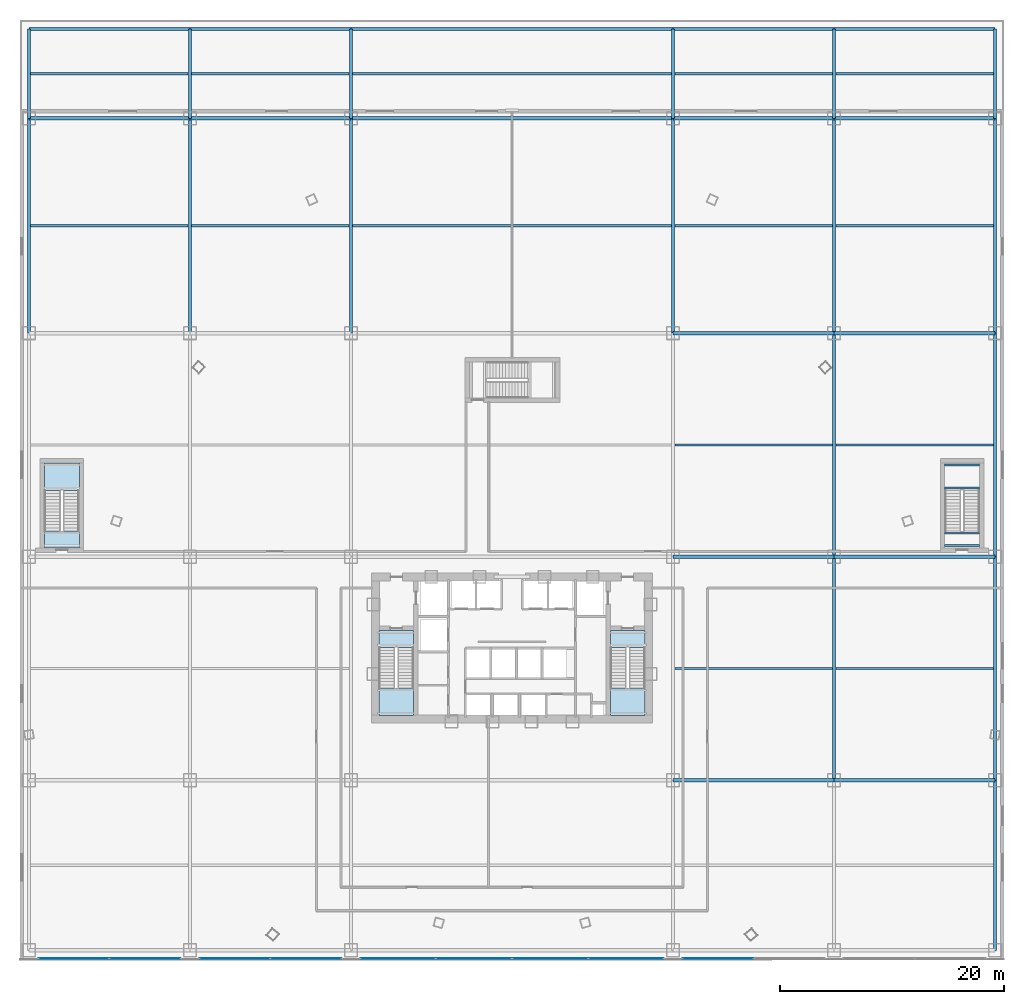
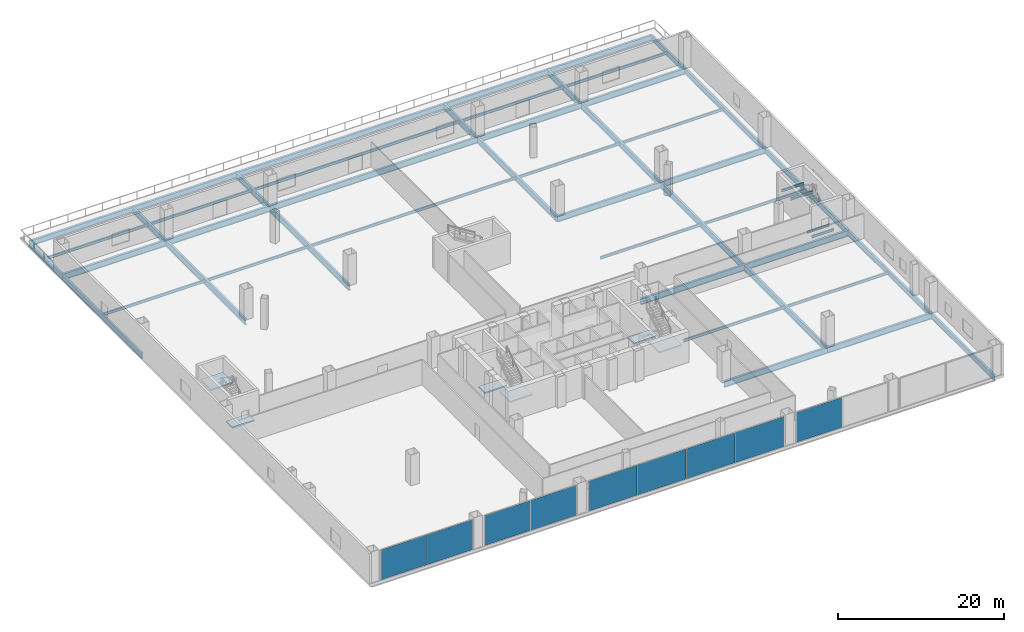
# One storey, part 17 of 27: 51 beams, 9 plates, 6 slabs, 7 elements without a shape of their own.
"""IFC4 building model written with IfcOpenShell, lengths in metres."""

from ifc_helpers import new_model, si_unit, direction, frame, origin, origin_2d, place, context, subcontext, project, spatial, polyline, rectangle, i_section, outline, extrude, source, transform, mapped, material, layer, layer_set, material_profile, profile_set, type_object, element, aggregate, save


model = new_model("IFC4")

# Units and contexts
model_context = context("Model", 3, precision=1e-05, world=origin(), true_north=direction((0.0, 1.0)))
body_context = subcontext(model_context, "Body", "Model", "MODEL_VIEW")
ifc_project = project(units=[si_unit("LENGTHUNIT", "METRE"), si_unit("AREAUNIT", "SQUARE_METRE"), si_unit("VOLUMEUNIT", "CUBIC_METRE"), si_unit("PLANEANGLEUNIT", "RADIAN"), si_unit("MASSUNIT", "GRAM", prefix="KILO"), si_unit("THERMODYNAMICTEMPERATUREUNIT", "KELVIN"), si_unit("POWERUNIT", "WATT")], contexts=[model_context])

# Site, building, storey
site_placement = place(None, origin())
site = spatial("IfcSite", under=ifc_project, at=site_placement, CompositionType="ELEMENT")
building_placement = place(site_placement, origin())
building = spatial("IfcBuilding", under=site, at=building_placement, Name="Yunzhuo Pagoda Commons", CompositionType="ELEMENT")
storey_placement = place(building_placement, frame((0.0, 0.0, 9.60009765625)))
storey = spatial("IfcBuildingStorey", under=building, at=storey_placement, Name="L03", CompositionType="ELEMENT", Elevation=9.60009765625)

# Beams
ifc_material_1 = material(Name="Structural steel Q355B", Category="steel")
ifc_material_profile_1 = material_profile(ifc_material_1, i_section(OverallWidth=0.175048828125, OverallDepth=0.35009765625, WebThickness=0.007080078125, FlangeThickness=0.010986328125, at=origin_2d()), Name="Structural steel Q355B")
ifc_profile_set_1 = profile_set([ifc_material_profile_1], Name="Structural steel Q355B")
beam_type_1 = type_object("IfcBeamType", Name="B-JS2 Joist HN 350x175x7x11", PredefinedType="JOIST", material=ifc_profile_set_1)
shared_shape_1 = source(origin(), body_context, "Body", "SweptSolid", [
    extrude(i_section(OverallWidth=0.175048828125, OverallDepth=0.35009765625, WebThickness=0.007080078125, FlangeThickness=0.010986328125, at=origin_2d()), origin(), (0.0, 0.0, 1.0), 3.10009765625),
])
for number, where, z_axis, x_axis, name in (
    (1, (86.699951171875, 48.139892578125, 2.02490234375), (1.0, 0.0, 0.0), (0.0, 1.0, 0.0), "L03 PS4 landing support beam 5A"),
    (2, (86.699951171875, 50.199951171875, 2.02490234375), (1.0, 0.0, 0.0), (0.0, 1.0, 0.0), "L03 PS4 landing support beam 5B"),
    (3, (86.699951171875, 43.0, -0.375), (1.0, 0.0, 0.0), (0.0, 1.0, 0.0), "L03 PS4 landing support beam 13A"),
    (4, (86.699951171875, 44.10009765625, -0.375), (1.0, 0.0, 0.0), (0.0, 1.0, 0.0), "L03 PS4 landing support beam 13B"),
):
    element("IfcBeam", number, at=place(storey_placement, frame(where, z_axis=z_axis, x_axis=x_axis)), inside=storey, type_object=beam_type_1, Name=name, PredefinedType="JOIST", context=body_context, shape_type="MappedRepresentation", body=[
        mapped(shared_shape_1, transform((0.0, 0.0, 0.0), scale=1.0)),
    ])
ifc_material_profile_2 = material_profile(ifc_material_1, i_section(OverallWidth=0.300048828125, OverallDepth=0.800048828125, WebThickness=0.013916015625, FlangeThickness=0.02587890625, at=origin_2d()), Name="Structural steel Q355B")
ifc_profile_set_2 = profile_set([ifc_material_profile_2], Name="Structural steel Q355B")
beam_type_2 = type_object("IfcBeamType", Name="B-PD2 Beam HN 800x300x14x26", PredefinedType="BEAM", material=ifc_profile_set_2)
shared_shape_2 = source(origin(), body_context, "Body", "SweptSolid", [
    extrude(i_section(OverallWidth=0.300048828125, OverallDepth=0.800048828125, WebThickness=0.013916015625, FlangeThickness=0.02587890625, at=origin_2d()), origin(), (0.0, 0.0, 1.0), 14.39990234375),
])
for number, where, z_axis, x_axis, name in (
    (5, (4.800048828125, 89.199951171875, -0.68017578125), (1.0, 0.0, 0.0), (0.0, 1.0, 0.0), "L03 podium girder EW 6.1"),
    (6, (76.800048828125, 89.199951171875, -0.68017578125), (1.0, 0.0, 0.0), (0.0, 1.0, 0.0), "L03 podium girder EW 6.5"),
):
    element("IfcBeam", number, at=place(storey_placement, frame(where, z_axis=z_axis, x_axis=x_axis)), inside=storey, type_object=beam_type_2, Name=name, PredefinedType="BEAM", context=body_context, shape_type="MappedRepresentation", body=[
        mapped(shared_shape_2, transform((0.0, 0.0, 0.0), scale=1.0)),
    ])
shared_shape_3 = source(origin(), body_context, "Body", "SweptSolid", [
    extrude(i_section(OverallWidth=0.300048828125, OverallDepth=0.800048828125, WebThickness=0.013916015625, FlangeThickness=0.02587890625, at=origin_2d()), origin(), (0.0, 0.0, 1.0), 14.400146484375),
])
for number, where, z_axis, x_axis, name in (
    (7, (19.199951171875, 89.199951171875, -0.68017578125), (1.0, 0.0, 0.0), (0.0, 1.0, 0.0), "L03 podium girder EW 6.2"),
    (8, (62.39990234375, 89.199951171875, -0.68017578125), (1.0, 0.0, 0.0), (0.0, 1.0, 0.0), "L03 podium girder EW 6.4"),
):
    element("IfcBeam", number, at=place(storey_placement, frame(where, z_axis=z_axis, x_axis=x_axis)), inside=storey, type_object=beam_type_2, Name=name, PredefinedType="BEAM", context=body_context, shape_type="MappedRepresentation", body=[
        mapped(shared_shape_3, transform((0.0, 0.0, 0.0), scale=1.0)),
    ])
shared_shape_4 = source(origin(), body_context, "Body", "SweptSolid", [
    extrude(i_section(OverallWidth=0.300048828125, OverallDepth=0.800048828125, WebThickness=0.013916015625, FlangeThickness=0.02587890625, at=origin_2d()), origin(), (0.0, 0.0, 1.0), 28.7998046875),
])
beam_1_placement = place(storey_placement, frame((33.60009765625, 89.199951171875, -0.68017578125), z_axis=(1.0, 0.0, 0.0), x_axis=(0.0, 1.0, 0.0)))
element("IfcBeam", 9, at=beam_1_placement, inside=storey, type_object=beam_type_2, Name="L03 podium girder EW 6.3", PredefinedType="BEAM", context=body_context, shape_type="MappedRepresentation", body=[
    mapped(shared_shape_4, transform((0.0, 0.0, 0.0), scale=1.0)),
])
ifc_material_profile_3 = material_profile(ifc_material_1, i_section(OverallWidth=0.300048828125, OverallDepth=0.89990234375, WebThickness=0.01611328125, FlangeThickness=0.028076171875, at=origin_2d()), Name="Structural steel Q355B")
ifc_profile_set_3 = profile_set([ifc_material_profile_3], Name="Structural steel Q355B")
beam_type_3 = type_object("IfcBeamType", Name="B-PD1 Beam HN 900x300x16x28", PredefinedType="BEAM", material=ifc_profile_set_3)
shared_shape_5 = source(origin(), body_context, "Body", "SweptSolid", [
    extrude(i_section(OverallWidth=0.300048828125, OverallDepth=0.89990234375, WebThickness=0.01611328125, FlangeThickness=0.028076171875, at=origin_2d()), origin(), (0.0, 0.0, 1.0), 14.39990234375),
])
for number, where, z_axis, x_axis, name in (
    (10, (76.800048828125, 22.0, -0.72998046875), (1.0, 0.0, 0.0), (0.0, 1.0, 0.0), "L03 podium girder EW 2.5"),
    (11, (76.800048828125, 42.0, -0.72998046875), (1.0, 0.0, 0.0), (0.0, 1.0, 0.0), "L03 podium girder EW 3.5"),
    (12, (76.800048828125, 62.0, -0.72998046875), (1.0, 0.0, 0.0), (0.0, 1.0, 0.0), "L03 podium girder EW 4.5"),
    (13, (4.800048828125, 81.199951171875, -0.72998046875), (1.0, 0.0, 0.0), (0.0, 1.0, 0.0), "L03 podium girder EW 5.1"),
    (14, (76.800048828125, 81.199951171875, -0.72998046875), (1.0, 0.0, 0.0), (0.0, 1.0, 0.0), "L03 podium girder EW 5.5"),
):
    element("IfcBeam", number, at=place(storey_placement, frame(where, z_axis=z_axis, x_axis=x_axis)), inside=storey, type_object=beam_type_3, Name=name, PredefinedType="BEAM", context=body_context, shape_type="MappedRepresentation", body=[
        mapped(shared_shape_5, transform((0.0, 0.0, 0.0), scale=1.0)),
    ])
shared_shape_6 = source(origin(), body_context, "Body", "SweptSolid", [
    extrude(i_section(OverallWidth=0.300048828125, OverallDepth=0.89990234375, WebThickness=0.01611328125, FlangeThickness=0.028076171875, at=origin_2d()), origin(), (0.0, 0.0, 1.0), 14.400146484375),
])
for number, where, z_axis, x_axis, name in (
    (15, (62.39990234375, 22.0, -0.72998046875), (1.0, 0.0, 0.0), (0.0, 1.0, 0.0), "L03 podium girder EW 2.4"),
    (16, (62.39990234375, 42.0, -0.72998046875), (1.0, 0.0, 0.0), (0.0, 1.0, 0.0), "L03 podium girder EW 3.4"),
    (17, (62.39990234375, 62.0, -0.72998046875), (1.0, 0.0, 0.0), (0.0, 1.0, 0.0), "L03 podium girder EW 4.4"),
    (18, (19.199951171875, 81.199951171875, -0.72998046875), (1.0, 0.0, 0.0), (0.0, 1.0, 0.0), "L03 podium girder EW 5.2"),
    (19, (62.39990234375, 81.199951171875, -0.72998046875), (1.0, 0.0, 0.0), (0.0, 1.0, 0.0), "L03 podium girder EW 5.4"),
):
    element("IfcBeam", number, at=place(storey_placement, frame(where, z_axis=z_axis, x_axis=x_axis)), inside=storey, type_object=beam_type_3, Name=name, PredefinedType="BEAM", context=body_context, shape_type="MappedRepresentation", body=[
        mapped(shared_shape_6, transform((0.0, 0.0, 0.0), scale=1.0)),
    ])
shared_shape_7 = source(origin(), body_context, "Body", "SweptSolid", [
    extrude(i_section(OverallWidth=0.300048828125, OverallDepth=0.89990234375, WebThickness=0.01611328125, FlangeThickness=0.028076171875, at=origin_2d()), origin(), (0.0, 0.0, 1.0), 28.7998046875),
])
beam_2_placement = place(storey_placement, frame((33.60009765625, 81.199951171875, -0.72998046875), z_axis=(1.0, 0.0, 0.0), x_axis=(0.0, 1.0, 0.0)))
element("IfcBeam", 20, at=beam_2_placement, inside=storey, type_object=beam_type_3, Name="L03 podium girder EW 5.3", PredefinedType="BEAM", context=body_context, shape_type="MappedRepresentation", body=[
    mapped(shared_shape_7, transform((0.0, 0.0, 0.0), scale=1.0)),
])
shared_shape_8 = source(origin(), body_context, "Body", "SweptSolid", [
    extrude(i_section(OverallWidth=0.300048828125, OverallDepth=0.800048828125, WebThickness=0.013916015625, FlangeThickness=0.02587890625, at=origin_2d()), origin(), (0.0, 0.0, 1.0), 15.199951171875),
])
beam_3_placement = place(storey_placement, frame((91.199951171875, 6.800048828125, -0.68017578125), z_axis=(0.0, 1.0, 0.0), x_axis=(-1.0, 0.0, 0.0)))
element("IfcBeam", 21, at=beam_3_placement, inside=storey, type_object=beam_type_2, Name="L03 podium girder NS 6.1", PredefinedType="BEAM", context=body_context, shape_type="MappedRepresentation", body=[
    mapped(shared_shape_8, transform((0.0, 0.0, 0.0), scale=1.0)),
])
ifc_material_profile_4 = material_profile(ifc_material_1, i_section(OverallWidth=0.199951171875, OverallDepth=0.39990234375, WebThickness=0.008056640625, FlangeThickness=0.012939453125, at=origin_2d()), Name="Structural steel Q355B")
ifc_profile_set_4 = profile_set([ifc_material_profile_4], Name="Structural steel Q355B")
beam_type_4 = type_object("IfcBeamType", Name="B-JS1 Joist HN 400x200x8x13", PredefinedType="JOIST", material=ifc_profile_set_4)
shared_shape_9 = source(origin(), body_context, "Body", "SweptSolid", [
    extrude(i_section(OverallWidth=0.199951171875, OverallDepth=0.39990234375, WebThickness=0.008056640625, FlangeThickness=0.012939453125, at=origin_2d()), origin(), (0.0, 0.0, 1.0), 14.08984375),
])
for number, where, z_axis, x_axis, name in (
    (22, (4.955078125, 71.60009765625, -0.47998046875), (1.0, 0.0, 0.0), (0.0, 1.0, 0.0), "L03 podium composite joist 1.4"),
    (23, (4.955078125, 85.199951171875, -0.47998046875), (1.0, 0.0, 0.0), (0.0, 1.0, 0.0), "L03 podium composite joist 1.5"),
    (24, (19.355224609375, 71.60009765625, -0.47998046875), (1.0, 0.0, 0.0), (0.0, 1.0, 0.0), "L03 podium composite joist 2.4"),
    (25, (19.355224609375, 85.199951171875, -0.47998046875), (1.0, 0.0, 0.0), (0.0, 1.0, 0.0), "L03 podium composite joist 2.5"),
    (26, (76.955078125, 32.0, -0.47998046875), (1.0, 0.0, 0.0), (0.0, 1.0, 0.0), "L03 podium composite joist 5.2"),
    (27, (76.955078125, 52.0, -0.47998046875), (1.0, 0.0, 0.0), (0.0, 1.0, 0.0), "L03 podium composite joist 5.3"),
    (28, (76.955078125, 71.60009765625, -0.47998046875), (1.0, 0.0, 0.0), (0.0, 1.0, 0.0), "L03 podium composite joist 5.4"),
    (29, (76.955078125, 85.199951171875, -0.47998046875), (1.0, 0.0, 0.0), (0.0, 1.0, 0.0), "L03 podium composite joist 5.5"),
):
    element("IfcBeam", number, at=place(storey_placement, frame(where, z_axis=z_axis, x_axis=x_axis)), inside=storey, type_object=beam_type_4, Name=name, PredefinedType="JOIST", context=body_context, shape_type="MappedRepresentation", body=[
        mapped(shared_shape_9, transform((0.0, 0.0, 0.0), scale=1.0)),
    ])
shared_shape_10 = source(origin(), body_context, "Body", "SweptSolid", [
    extrude(i_section(OverallWidth=0.300048828125, OverallDepth=0.800048828125, WebThickness=0.013916015625, FlangeThickness=0.02587890625, at=origin_2d()), origin(), (0.0, 0.0, 1.0), 20.0),
])
for number, where, z_axis, x_axis, name in (
    (30, (91.199951171875, 22.0, -0.68017578125), (0.0, 1.0, 0.0), (-1.0, 0.0, 0.0), "L03 podium girder NS 6.2"),
    (31, (91.199951171875, 42.0, -0.68017578125), (0.0, 1.0, 0.0), (-1.0, 0.0, 0.0), "L03 podium girder NS 6.3"),
):
    element("IfcBeam", number, at=place(storey_placement, frame(where, z_axis=z_axis, x_axis=x_axis)), inside=storey, type_object=beam_type_2, Name=name, PredefinedType="BEAM", context=body_context, shape_type="MappedRepresentation", body=[
        mapped(shared_shape_10, transform((0.0, 0.0, 0.0), scale=1.0)),
    ])
shared_shape_11 = source(origin(), body_context, "Body", "SweptSolid", [
    extrude(i_section(OverallWidth=0.300048828125, OverallDepth=0.800048828125, WebThickness=0.013916015625, FlangeThickness=0.02587890625, at=origin_2d()), origin(), (0.0, 0.0, 1.0), 19.199951171875),
])
for number, where, z_axis, x_axis, name in (
    (32, (4.800048828125, 62.0, -0.68017578125), (0.0, 1.0, 0.0), (-1.0, 0.0, 0.0), "L03 podium girder NS 1.4"),
    (33, (91.199951171875, 62.0, -0.68017578125), (0.0, 1.0, 0.0), (-1.0, 0.0, 0.0), "L03 podium girder NS 6.4"),
):
    element("IfcBeam", number, at=place(storey_placement, frame(where, z_axis=z_axis, x_axis=x_axis)), inside=storey, type_object=beam_type_2, Name=name, PredefinedType="BEAM", context=body_context, shape_type="MappedRepresentation", body=[
        mapped(shared_shape_11, transform((0.0, 0.0, 0.0), scale=1.0)),
    ])
shared_shape_12 = source(origin(), body_context, "Body", "SweptSolid", [
    extrude(i_section(OverallWidth=0.300048828125, OverallDepth=0.800048828125, WebThickness=0.013916015625, FlangeThickness=0.02587890625, at=origin_2d()), origin(), (0.0, 0.0, 1.0), 8.0),
])
for number, where, z_axis, x_axis, name in (
    (34, (4.800048828125, 81.199951171875, -0.68017578125), (0.0, 1.0, 0.0), (-1.0, 0.0, 0.0), "L03 podium girder NS 1.5"),
    (35, (91.199951171875, 81.199951171875, -0.68017578125), (0.0, 1.0, 0.0), (-1.0, 0.0, 0.0), "L03 podium girder NS 6.5"),
):
    element("IfcBeam", number, at=place(storey_placement, frame(where, z_axis=z_axis, x_axis=x_axis)), inside=storey, type_object=beam_type_2, Name=name, PredefinedType="BEAM", context=body_context, shape_type="MappedRepresentation", body=[
        mapped(shared_shape_12, transform((0.0, 0.0, 0.0), scale=1.0)),
    ])
shared_shape_13 = source(origin(), body_context, "Body", "SweptSolid", [
    extrude(i_section(OverallWidth=0.300048828125, OverallDepth=0.89990234375, WebThickness=0.01611328125, FlangeThickness=0.028076171875, at=origin_2d()), origin(), (0.0, 0.0, 1.0), 20.0),
])
for number, where, z_axis, x_axis, name in (
    (36, (76.800048828125, 22.0, -0.72998046875), (0.0, 1.0, 0.0), (-1.0, 0.0, 0.0), "L03 podium girder NS 5.2"),
    (37, (76.800048828125, 42.0, -0.72998046875), (0.0, 1.0, 0.0), (-1.0, 0.0, 0.0), "L03 podium girder NS 5.3"),
):
    element("IfcBeam", number, at=place(storey_placement, frame(where, z_axis=z_axis, x_axis=x_axis)), inside=storey, type_object=beam_type_3, Name=name, PredefinedType="BEAM", context=body_context, shape_type="MappedRepresentation", body=[
        mapped(shared_shape_13, transform((0.0, 0.0, 0.0), scale=1.0)),
    ])
shared_shape_14 = source(origin(), body_context, "Body", "SweptSolid", [
    extrude(i_section(OverallWidth=0.300048828125, OverallDepth=0.89990234375, WebThickness=0.01611328125, FlangeThickness=0.028076171875, at=origin_2d()), origin(), (0.0, 0.0, 1.0), 19.199951171875),
])
for number, where, z_axis, x_axis, name in (
    (38, (19.199951171875, 62.0, -0.72998046875), (0.0, 1.0, 0.0), (-1.0, 0.0, 0.0), "L03 podium girder NS 2.4"),
    (39, (33.60009765625, 62.0, -0.72998046875), (0.0, 1.0, 0.0), (-1.0, 0.0, 0.0), "L03 podium girder NS 3.4"),
    (40, (62.39990234375, 62.0, -0.72998046875), (0.0, 1.0, 0.0), (-1.0, 0.0, 0.0), "L03 podium girder NS 4.4"),
    (41, (76.800048828125, 62.0, -0.72998046875), (0.0, 1.0, 0.0), (-1.0, 0.0, 0.0), "L03 podium girder NS 5.4"),
):
    element("IfcBeam", number, at=place(storey_placement, frame(where, z_axis=z_axis, x_axis=x_axis)), inside=storey, type_object=beam_type_3, Name=name, PredefinedType="BEAM", context=body_context, shape_type="MappedRepresentation", body=[
        mapped(shared_shape_14, transform((0.0, 0.0, 0.0), scale=1.0)),
    ])
shared_shape_15 = source(origin(), body_context, "Body", "SweptSolid", [
    extrude(i_section(OverallWidth=0.300048828125, OverallDepth=0.89990234375, WebThickness=0.01611328125, FlangeThickness=0.028076171875, at=origin_2d()), origin(), (0.0, 0.0, 1.0), 8.0),
])
for number, where, z_axis, x_axis, name in (
    (42, (19.199951171875, 81.199951171875, -0.72998046875), (0.0, 1.0, 0.0), (-1.0, 0.0, 0.0), "L03 podium girder NS 2.5"),
    (43, (33.60009765625, 81.199951171875, -0.72998046875), (0.0, 1.0, 0.0), (-1.0, 0.0, 0.0), "L03 podium girder NS 3.5"),
    (44, (62.39990234375, 81.199951171875, -0.72998046875), (0.0, 1.0, 0.0), (-1.0, 0.0, 0.0), "L03 podium girder NS 4.5"),
    (45, (76.800048828125, 81.199951171875, -0.72998046875), (0.0, 1.0, 0.0), (-1.0, 0.0, 0.0), "L03 podium girder NS 5.5"),
):
    element("IfcBeam", number, at=place(storey_placement, frame(where, z_axis=z_axis, x_axis=x_axis)), inside=storey, type_object=beam_type_3, Name=name, PredefinedType="BEAM", context=body_context, shape_type="MappedRepresentation", body=[
        mapped(shared_shape_15, transform((0.0, 0.0, 0.0), scale=1.0)),
    ])
shared_shape_16 = source(origin(), body_context, "Body", "SweptSolid", [
    extrude(i_section(OverallWidth=0.199951171875, OverallDepth=0.39990234375, WebThickness=0.008056640625, FlangeThickness=0.012939453125, at=origin_2d()), origin(), (0.0, 0.0, 1.0), 28.490234375),
])
for number, where, z_axis, x_axis, name in (
    (46, (33.7548828125, 71.60009765625, -0.47998046875), (1.0, 0.0, 0.0), (0.0, 1.0, 0.0), "L03 podium composite joist 3.4"),
    (47, (33.7548828125, 85.199951171875, -0.47998046875), (1.0, 0.0, 0.0), (0.0, 1.0, 0.0), "L03 podium composite joist 3.5"),
):
    element("IfcBeam", number, at=place(storey_placement, frame(where, z_axis=z_axis, x_axis=x_axis)), inside=storey, type_object=beam_type_4, Name=name, PredefinedType="JOIST", context=body_context, shape_type="MappedRepresentation", body=[
        mapped(shared_shape_16, transform((0.0, 0.0, 0.0), scale=1.0)),
    ])
shared_shape_17 = source(origin(), body_context, "Body", "SweptSolid", [
    extrude(i_section(OverallWidth=0.199951171875, OverallDepth=0.39990234375, WebThickness=0.008056640625, FlangeThickness=0.012939453125, at=origin_2d()), origin(), (0.0, 0.0, 1.0), 14.09033203125),
])
for number, where, z_axis, x_axis, name in (
    (48, (62.554931640625, 32.0, -0.47998046875), (1.0, 0.0, 0.0), (0.0, 1.0, 0.0), "L03 podium composite joist 4.2"),
    (49, (62.554931640625, 52.0, -0.47998046875), (1.0, 0.0, 0.0), (0.0, 1.0, 0.0), "L03 podium composite joist 4.3"),
    (50, (62.554931640625, 71.60009765625, -0.47998046875), (1.0, 0.0, 0.0), (0.0, 1.0, 0.0), "L03 podium composite joist 4.4"),
    (51, (62.554931640625, 85.199951171875, -0.47998046875), (1.0, 0.0, 0.0), (0.0, 1.0, 0.0), "L03 podium composite joist 4.5"),
):
    element("IfcBeam", number, at=place(storey_placement, frame(where, z_axis=z_axis, x_axis=x_axis)), inside=storey, type_object=beam_type_4, Name=name, PredefinedType="JOIST", context=body_context, shape_type="MappedRepresentation", body=[
        mapped(shared_shape_17, transform((0.0, 0.0, 0.0), scale=1.0)),
    ])

# Stair, slabs
ifc_material_2 = material(Name="Concrete C40", Category="concrete")
stair_type_1 = type_object("IfcStairType", Name="ST-C1 Core Smokeproof Stair ST1", PredefinedType="HALF_TURN_STAIR", material=ifc_material_2)
stair_1_placement = place(storey_placement, origin())
stair_1 = element("IfcStair", 52, at=stair_1_placement, inside=storey, type_object=stair_type_1, Name="L03 Core smokeproof stair ST1", PredefinedType="HALF_TURN_STAIR")
ifc_layer_1 = layer(ifc_material_2, 0.199951171875)
ifc_layer_set_1 = layer_set([ifc_layer_1], Name="Concrete C40")
slab_type_1 = type_object("IfcSlabType", Name="SL-LND1 Stair Landing Slab 200", PredefinedType="LANDING", material=ifc_layer_set_1)
slab_1_placement = place(storey_placement, frame((0.0, 0.0, 2.199951171875)))
slab_1 = element("IfcSlab", 53, at=slab_1_placement, type_object=slab_type_1, Name="ST1 landing 1", PredefinedType="LANDING", context=body_context, shape_type="SweptSolid", body=[
    extrude(outline(polyline([(36.10009765625, 30.260009765625), (36.10009765625, 27.800048828125), (39.199951171875, 27.800048828125), (39.199951171875, 30.260009765625), (36.10009765625, 30.260009765625)])), origin(), (0.0, 0.0, 1.0), 0.199951171875),
])
slab_2_placement = place(storey_placement, frame((0.0, 0.0, -0.2001953125)))
slab_2 = element("IfcSlab", 54, at=slab_2_placement, type_object=slab_type_1, Name="ST1 floor landing L03", PredefinedType="LANDING", context=body_context, shape_type="SweptSolid", body=[
    extrude(outline(polyline([(36.10009765625, 35.39990234375), (36.10009765625, 33.89990234375), (39.199951171875, 33.89990234375), (39.199951171875, 35.39990234375), (36.10009765625, 35.39990234375)])), origin(), (0.0, 0.0, 1.0), 0.2001953125),
])
aggregate(stair_1, [slab_1, slab_2])

stair_type_2 = type_object("IfcStairType", Name="ST-C2 Core Smokeproof Stair ST2", PredefinedType="HALF_TURN_STAIR", material=ifc_material_2)
stair_2_placement = place(storey_placement, origin())
stair_2 = element("IfcStair", 55, at=stair_2_placement, inside=storey, type_object=stair_type_2, Name="L03 Core smokeproof stair ST2", PredefinedType="HALF_TURN_STAIR")
ifc_layer_2 = layer(ifc_material_2, 0.201904296875)
ifc_layer_set_2 = layer_set([ifc_layer_2], Name="Concrete C40")
slab_type_2 = type_object("IfcSlabType", Name="SL-LND2 Stair Landing Slab 202", PredefinedType="LANDING", material=ifc_layer_set_2)
slab_3_placement = place(storey_placement, frame((0.0, 0.0, 2.199951171875)))
slab_3 = element("IfcSlab", 56, at=slab_3_placement, type_object=slab_type_2, Name="ST2 landing 1", PredefinedType="LANDING", context=body_context, shape_type="SweptSolid", body=[
    extrude(outline(polyline([(56.800048828125, 30.260009765625), (56.800048828125, 27.800048828125), (59.89990234375, 27.800048828125), (59.89990234375, 30.260009765625), (56.800048828125, 30.260009765625)])), origin(), (0.0, 0.0, 1.0), 0.199951171875),
])
slab_4_placement = place(storey_placement, frame((0.0, 0.0, -0.2001953125)))
slab_4 = element("IfcSlab", 57, at=slab_4_placement, type_object=slab_type_2, Name="ST2 floor landing L03", PredefinedType="LANDING", context=body_context, shape_type="SweptSolid", body=[
    extrude(outline(polyline([(56.800048828125, 35.39990234375), (56.800048828125, 33.89990234375), (59.89990234375, 33.89990234375), (59.89990234375, 35.39990234375), (56.800048828125, 35.39990234375)])), origin(), (0.0, 0.0, 1.0), 0.2001953125),
])
aggregate(stair_2, [slab_3, slab_4])

stair_type_3 = type_object("IfcStairType", Name="ST-P3 Podium Exit Stair PS3", PredefinedType="HALF_TURN_STAIR", material=ifc_material_2)
stair_3_placement = place(storey_placement, origin())
stair_3 = element("IfcStair", 58, at=stair_3_placement, inside=storey, type_object=stair_type_3, Name="L03 Podium exit stair PS3", PredefinedType="HALF_TURN_STAIR")
ifc_layer_3 = layer(ifc_material_2, 0.2060546875)
ifc_layer_set_3 = layer_set([ifc_layer_3], Name="Concrete C40")
slab_type_3 = type_object("IfcSlabType", Name="SL-LND3 Podium Landing Slab 206", PredefinedType="LANDING", material=ifc_layer_set_3)
slab_5_placement = place(storey_placement, frame((0.0, 0.0, 2.199951171875)))
slab_5 = element("IfcSlab", 59, at=slab_5_placement, type_object=slab_type_3, Name="PS3 landing 1", PredefinedType="LANDING", context=body_context, shape_type="SweptSolid", body=[
    extrude(outline(polyline([(9.300048828125, 47.93994140625), (9.300048828125, 50.39990234375), (6.199951171875, 50.39990234375), (6.199951171875, 47.93994140625), (9.300048828125, 47.93994140625)])), origin(), (0.0, 0.0, 1.0), 0.199951171875),
])
slab_6_placement = place(storey_placement, frame((0.0, 0.0, -0.2001953125)))
slab_6 = element("IfcSlab", 60, at=slab_6_placement, type_object=slab_type_3, Name="PS3 floor landing L03", PredefinedType="LANDING", context=body_context, shape_type="SweptSolid", body=[
    extrude(outline(polyline([(9.300048828125, 42.800048828125), (9.300048828125, 44.300048828125), (6.199951171875, 44.300048828125), (6.199951171875, 42.800048828125), (9.300048828125, 42.800048828125)])), origin(), (0.0, 0.0, 1.0), 0.2001953125),
])
aggregate(stair_3, [slab_5, slab_6])

# Curtain wall, plates
ifc_material_3 = material(Name="Anodized aluminium 6063-T6", Category="aluminium")
ifc_layer_4 = layer(ifc_material_3, 0.179931640625)
ifc_layer_set_4 = layer_set([ifc_layer_4], Name="Anodized aluminium 6063-T6")
curtain_wall_type = type_object("IfcCurtainWallType", Name="CW-POD Waterfront Podium Curtain Wall", PredefinedType="NOTDEFINED", material=ifc_layer_set_4)
curtain_wall_1_placement = place(storey_placement, origin())
curtain_wall_1 = element("IfcCurtainWall", 61, at=curtain_wall_1_placement, inside=storey, type_object=curtain_wall_type, Name="L03 curtain wall CW-L03-S3", PredefinedType="NOTDEFINED")
ifc_material_4 = material(Name="Tempered low-e double glazing", Category="glass")
ifc_layer_5 = layer(ifc_material_4, 0.031982421875)
ifc_layer_set_5 = layer_set([ifc_layer_5], Name="Tempered low-e double glazing")
plate_type = type_object("IfcPlateType", Name="CW-POD-P Low-E Double Glazing 32", PredefinedType="CURTAIN_PANEL", material=ifc_layer_set_5)
shared_shape_18 = source(origin(), body_context, "Body", "SweptSolid", [
    extrude(rectangle(XDim=6.702392578125, YDim=0.028076171875, at=origin_2d()), origin(), (0.0, 0.0, 1.0), 4.39990234375),
])
plate_1_placement = place(storey_placement, frame((37.816162109375, 6.080078125, 0.06005859375), z_axis=(0.0, 0.0, 1.0), x_axis=(1.0, 0.0, 0.0)))
plate_1 = element("IfcPlate", 62, at=plate_1_placement, type_object=plate_type, Name="CW panel 1.1", PredefinedType="CURTAIN_PANEL", context=body_context, shape_type="MappedRepresentation", body=[
    mapped(shared_shape_18, transform((0.0, 0.0, 0.0), scale=1.0)),
])
plate_2_placement = place(storey_placement, frame((58.183837890625, 6.080078125, 0.06005859375), z_axis=(0.0, 0.0, 1.0), x_axis=(1.0, 0.0, 0.0)))
plate_2 = element("IfcPlate", 63, at=plate_2_placement, type_object=plate_type, Name="CW panel 4.1", PredefinedType="CURTAIN_PANEL", context=body_context, shape_type="MappedRepresentation", body=[
    mapped(shared_shape_18, transform((0.0, 0.0, 0.0), scale=1.0)),
])

curtain_wall_2_placement = place(storey_placement, origin())
curtain_wall_2 = element("IfcCurtainWall", 64, at=curtain_wall_2_placement, inside=storey, type_object=curtain_wall_type, Name="L03 curtain wall CW-L03-S1", PredefinedType="NOTDEFINED")
shared_shape_19 = source(origin(), body_context, "Body", "SweptSolid", [
    extrude(rectangle(XDim=6.302490234375, YDim=0.028076171875, at=origin_2d()), origin(), (0.0, 0.0, 1.0), 4.39990234375),
])
plate_3_placement = place(storey_placement, frame((8.816162109375, 6.080078125, 0.06005859375), z_axis=(0.0, 0.0, 1.0), x_axis=(1.0, 0.0, 0.0)))
plate_3 = element("IfcPlate", 65, at=plate_3_placement, type_object=plate_type, Name="CW panel 1.1", PredefinedType="CURTAIN_PANEL", context=body_context, shape_type="MappedRepresentation", body=[
    mapped(shared_shape_19, transform((0.0, 0.0, 0.0), scale=1.0)),
])
plate_4_placement = place(storey_placement, frame((15.183837890625, 6.080078125, 0.06005859375), z_axis=(0.0, 0.0, 1.0), x_axis=(1.0, 0.0, 0.0)))
plate_4 = element("IfcPlate", 66, at=plate_4_placement, type_object=plate_type, Name="CW panel 2.1", PredefinedType="CURTAIN_PANEL", context=body_context, shape_type="MappedRepresentation", body=[
    mapped(shared_shape_19, transform((0.0, 0.0, 0.0), scale=1.0)),
])
aggregate(curtain_wall_2, [plate_3, plate_4])

curtain_wall_3_placement = place(storey_placement, origin())
curtain_wall_3 = element("IfcCurtainWall", 67, at=curtain_wall_3_placement, inside=storey, type_object=curtain_wall_type, Name="L03 curtain wall CW-L03-S2", PredefinedType="NOTDEFINED")
plate_5_placement = place(storey_placement, frame((23.21630859375, 6.080078125, 0.06005859375), z_axis=(0.0, 0.0, 1.0), x_axis=(1.0, 0.0, 0.0)))
plate_5 = element("IfcPlate", 68, at=plate_5_placement, type_object=plate_type, Name="CW panel 1.1", PredefinedType="CURTAIN_PANEL", context=body_context, shape_type="MappedRepresentation", body=[
    mapped(shared_shape_19, transform((0.0, 0.0, 0.0), scale=1.0)),
])
plate_6_placement = place(storey_placement, frame((29.583740234375, 6.080078125, 0.06005859375), z_axis=(0.0, 0.0, 1.0), x_axis=(1.0, 0.0, 0.0)))
plate_6 = element("IfcPlate", 69, at=plate_6_placement, type_object=plate_type, Name="CW panel 2.1", PredefinedType="CURTAIN_PANEL", context=body_context, shape_type="MappedRepresentation", body=[
    mapped(shared_shape_19, transform((0.0, 0.0, 0.0), scale=1.0)),
])
aggregate(curtain_wall_3, [plate_5, plate_6])

# Curtain wall, plate
curtain_wall_4_placement = place(storey_placement, origin())
curtain_wall_4 = element("IfcCurtainWall", 70, at=curtain_wall_4_placement, inside=storey, type_object=curtain_wall_type, Name="L03 curtain wall CW-L03-S4", PredefinedType="NOTDEFINED")
plate_7_placement = place(storey_placement, frame((66.416259765625, 6.080078125, 0.06005859375), z_axis=(0.0, 0.0, 1.0), x_axis=(1.0, 0.0, 0.0)))
plate_7 = element("IfcPlate", 71, at=plate_7_placement, type_object=plate_type, Name="CW panel 1.1", PredefinedType="CURTAIN_PANEL", context=body_context, shape_type="MappedRepresentation", body=[
    mapped(shared_shape_19, transform((0.0, 0.0, 0.0), scale=1.0)),
])
aggregate(curtain_wall_4, [plate_7])

# Plate
shared_shape_20 = source(origin(), body_context, "Body", "SweptSolid", [
    extrude(rectangle(XDim=6.735107421875, YDim=0.028076171875, at=origin_2d()), origin(), (0.0, 0.0, 1.0), 4.39990234375),
])
plate_8_placement = place(storey_placement, frame((44.60009765625, 6.080078125, 0.06005859375), z_axis=(0.0, 0.0, 1.0), x_axis=(1.0, 0.0, 0.0)))
plate_8 = element("IfcPlate", 72, at=plate_8_placement, type_object=plate_type, Name="CW panel 2.1", PredefinedType="CURTAIN_PANEL", context=body_context, shape_type="MappedRepresentation", body=[
    mapped(shared_shape_20, transform((0.0, 0.0, 0.0), scale=1.0)),
])

plate_9_placement = place(storey_placement, frame((51.39990234375, 6.080078125, 0.06005859375), z_axis=(0.0, 0.0, 1.0), x_axis=(1.0, 0.0, 0.0)))
plate_9 = element("IfcPlate", 73, at=plate_9_placement, type_object=plate_type, Name="CW panel 3.1", PredefinedType="CURTAIN_PANEL", context=body_context, shape_type="MappedRepresentation", body=[
    mapped(shared_shape_20, transform((0.0, 0.0, 0.0), scale=1.0)),
])

aggregate(curtain_wall_1, [plate_1, plate_8, plate_9, plate_2])

save(model, "model.ifc")
